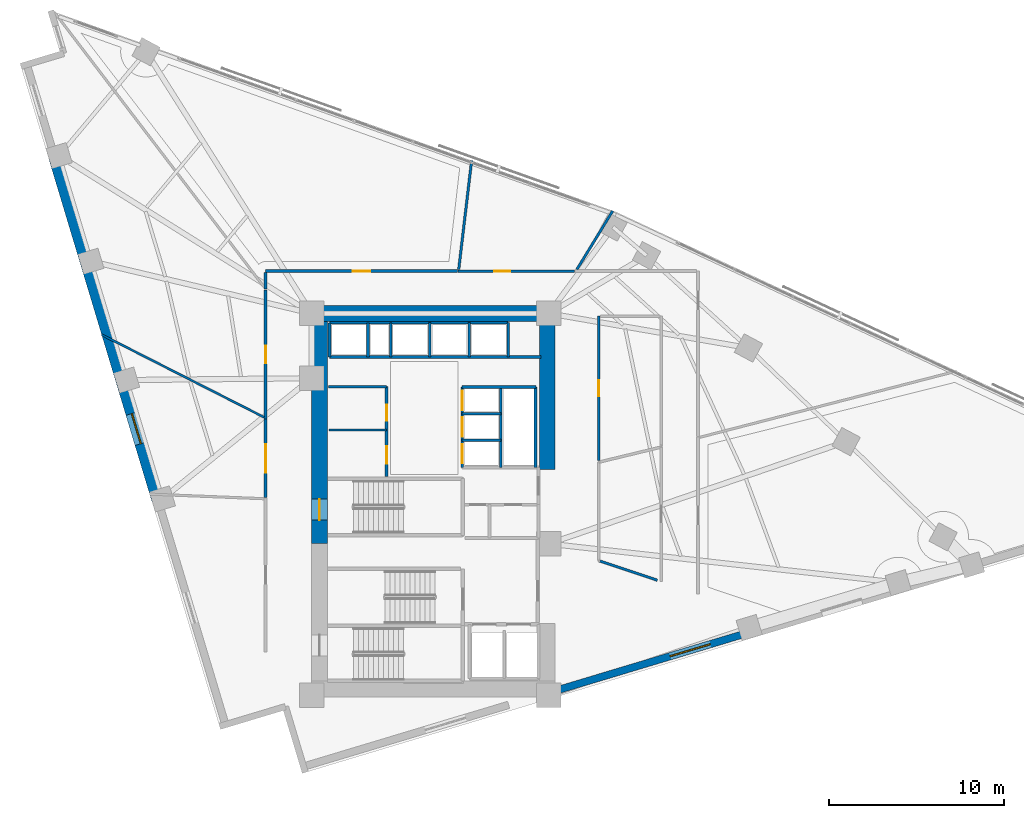
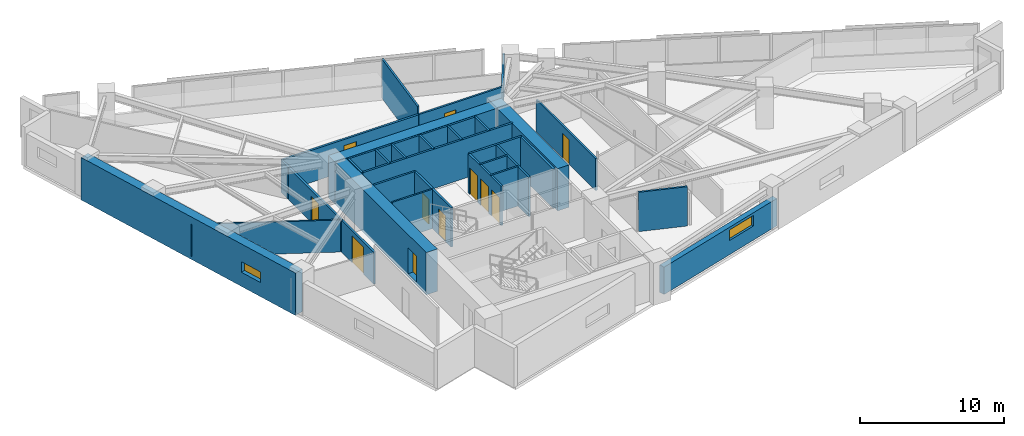
# One storey, part 11 of 16: 33 walls, 11 doors, 2 windows, 13 openings.
"""IFC4 building model written with IfcOpenShell, lengths in metres."""

from ifc_helpers import new_model, si_unit, direction, frame, frame_2d, origin, place, context, subcontext, project, spatial, rectangle, extrude, material, layer, layer_set, type_object, element, fill, save


model = new_model("IFC4")

# Units and contexts
model_context = context("Model", 3, precision=1e-05, world=origin(), true_north=direction((0.0, 1.0)))
body_context = subcontext(model_context, "Body", "Model", "MODEL_VIEW")
ifc_project = project(units=[si_unit("LENGTHUNIT", "METRE"), si_unit("AREAUNIT", "SQUARE_METRE"), si_unit("VOLUMEUNIT", "CUBIC_METRE"), si_unit("PLANEANGLEUNIT", "RADIAN"), si_unit("MASSUNIT", "GRAM", prefix="KILO")], contexts=[model_context])

# Site, building, storey
site_placement = place(None, origin())
site = spatial("IfcSite", under=ifc_project, at=site_placement, CompositionType="ELEMENT")
building_placement = place(site_placement, origin())
building = spatial("IfcBuilding", under=site, at=building_placement, Name="Narakoshi Arena Tower", CompositionType="ELEMENT")
storey_placement = place(building_placement, frame((0.0, 0.0, 150.300048828125)))
storey = spatial("IfcBuildingStorey", under=building, at=storey_placement, Name="L40", CompositionType="ELEMENT", Elevation=150.300048828125)

# Wall, opening, door
ifc_material_1 = material(Name="Concrete C60/75", Category="concrete")
ifc_layer_1 = layer(ifc_material_1, 0.89990234375)
ifc_layer_set_1 = layer_set([ifc_layer_1], Name="Concrete C60/75")
wall_type_1 = type_object("IfcWallType", Name="WL-CORE-900", PredefinedType="SHEAR", material=ifc_layer_set_1)
wall_1_placement = place(storey_placement, frame((72.449951171875, 43.35009765625, -0.260009765625), z_axis=(0.0, 0.0, 1.0), x_axis=(0.0, 1.0, 0.0)))
wall_1 = element("IfcWall", 1, at=wall_1_placement, inside=storey, type_object=wall_type_1, Name="L40 Main Core Shear Wall CW-MN-W", PredefinedType="SHEAR", context=body_context, shape_type="SweptSolid", body=[
    extrude(rectangle(XDim=12.699951171875, YDim=0.89990234375, at=frame_2d((6.35009765625, 0.0))), origin(), (0.0, 0.0, 1.0), 3.599853515625),
])
opening_1_placement = place(wall_1_placement, frame((1.35009765625, 0.0, 0.260009765625)))
opening_1 = element("IfcOpeningElement", 2, at=opening_1_placement, cuts=wall_1, Name="Opening D-03", PredefinedType="OPENING", context=body_context, shape_type="SweptSolid", body=[
    extrude(rectangle(XDim=1.199951171875, YDim=2.199951171875, at=frame_2d((0.60009765625, 1.10009765625))), frame((0.0, 0.4599609375, 0.0), z_axis=(0.0, -1.0, 0.0), x_axis=(1.0, 0.0, 0.0)), (0.0, 0.0, 1.0), 0.919921875),
])
ifc_material_2 = material(Name="Painted galvanized steel", Category="steel")
door_type_1 = type_object("IfcDoorType", Name="DR-STR-1200", OperationType="NOTDEFINED", PredefinedType="USERDEFINED", material=ifc_material_2)
door_1_placement = place(opening_1_placement, frame((1.199951171875, 0.0, 0.0), z_axis=(0.0, 0.0, 1.0), x_axis=(-1.0, 0.0, 0.0)))
door_1 = element("IfcDoor", 3, at=door_1_placement, inside=storey, type_object=door_type_1, Name="DR-L40-006", ObjectType="EXITDOOR", OperationType="SINGLE_SWING_LEFT", OverallHeight=2.199951171875, OverallWidth=1.199951171875, PredefinedType="USERDEFINED", context=body_context, shape_type="SweptSolid", body=[
    extrude(rectangle(XDim=1.199951171875, YDim=2.199951171875, at=frame_2d((0.60009765625, 1.10009765625))), frame((0.0, 0.02490234375, 0.0), z_axis=(0.0, -1.0, 0.0), x_axis=(1.0, 0.0, 0.0)), (0.0, 0.0, 1.0), 0.050048828125),
])
fill(opening_1, door_1)

# Walls
wall_2_placement = place(storey_placement, frame((72.0, 56.5, -0.260009765625), z_axis=(0.0, 0.0, 1.0), x_axis=(1.0, 0.0, 0.0)))
element("IfcWall", 4, at=wall_2_placement, inside=storey, type_object=wall_type_1, Name="L40 Main Core Shear Wall CW-MN-N", PredefinedType="SHEAR", context=body_context, shape_type="SweptSolid", body=[
    extrude(rectangle(XDim=13.89990234375, YDim=0.89990234375, at=frame_2d((6.949951171875, 0.0))), origin(), (0.0, 0.0, 1.0), 3.599853515625),
])
wall_3_placement = place(storey_placement, frame((85.449951171875, 47.60009765625, -0.260009765625), z_axis=(0.0, 0.0, 1.0), x_axis=(0.0, 1.0, 0.0)))
element("IfcWall", 5, at=wall_3_placement, inside=storey, type_object=wall_type_1, Name="L40 Main Core Shear Wall CW-MN-E", PredefinedType="SHEAR", context=body_context, shape_type="SweptSolid", body=[
    extrude(rectangle(XDim=8.449951171875, YDim=0.89990234375, at=frame_2d((4.22509765625, 0.0))), origin(), (0.0, 0.0, 1.0), 3.599853515625),
])

# Wall, opening, door
ifc_material_3 = material(Name="Gypsum plasterboard fire-rated partition")
ifc_layer_2 = layer(ifc_material_3, 0.1650390625)
ifc_layer_set_2 = layer_set([ifc_layer_2], Name="Gypsum plasterboard fire-rated partition")
wall_type_2 = type_object("IfcWallType", Name="WL-CORR-165", PredefinedType="PARTITIONING", material=ifc_layer_set_2)
wall_4_placement = place(storey_placement, frame((80.327880859375, 58.9189453125, 0.0), z_axis=(0.0, 0.0, 1.0), x_axis=(-1.0, 0.0, 0.0)))
wall_4 = element("IfcWall", 6, at=wall_4_placement, inside=storey, type_object=wall_type_2, Name="L40 Corridor Partition 07-1", PredefinedType="PARTITIONING", context=body_context, shape_type="SweptSolid", body=[
    extrude(rectangle(XDim=10.95166015625, YDim=0.1650390625, at=frame_2d((5.475830078125, 0.0))), origin(), (0.0, 0.0, 1.0), 2.724853515625),
])
opening_2_placement = place(wall_4_placement, frame((4.975830078125, 0.0, 0.0)))
opening_2 = element("IfcOpeningElement", 7, at=opening_2_placement, cuts=wall_4, Name="Opening D-06", PredefinedType="OPENING", context=body_context, shape_type="SweptSolid", body=[
    extrude(rectangle(XDim=1.0, YDim=2.199951171875, at=frame_2d((0.5, 1.10009765625))), frame((0.0, 0.092529296875, 0.0), z_axis=(0.0, -1.0, 0.0), x_axis=(1.0, 0.0, 0.0)), (0.0, 0.0, 1.0), 0.18505859375),
])
ifc_material_4 = material(Name="Stained oak solid-core timber", Category="wood")
door_type_2 = type_object("IfcDoorType", Name="DR-OFF-1000", OperationType="NOTDEFINED", PredefinedType="DOOR", material=ifc_material_4)
door_2_placement = place(opening_2_placement, frame((1.0, 0.0, 0.0), z_axis=(0.0, 0.0, 1.0), x_axis=(-1.0, 0.0, 0.0)))
door_2 = element("IfcDoor", 8, at=door_2_placement, inside=storey, type_object=door_type_2, Name="DR-L40-021", OperationType="SINGLE_SWING_RIGHT", OverallHeight=2.199951171875, OverallWidth=1.0, PredefinedType="DOOR", context=body_context, shape_type="SweptSolid", body=[
    extrude(rectangle(XDim=1.0, YDim=2.199951171875, at=frame_2d((0.5, 1.10009765625))), frame((0.0, 0.02490234375, 0.0), z_axis=(0.0, -1.0, 0.0), x_axis=(1.0, 0.0, 0.0)), (0.0, 0.0, 1.0), 0.050048828125),
])
fill(opening_2, door_2)

# Wall
wall_5_placement = place(storey_placement, frame((69.376220703125, 58.824462890625, 0.0), z_axis=(0.0, 0.0, 1.0), x_axis=(0.0, -1.0, 0.0)))
element("IfcWall", 9, at=wall_5_placement, inside=storey, type_object=wall_type_2, Name="L40 Corridor Partition 07-2", PredefinedType="PARTITIONING", context=body_context, shape_type="SweptSolid", body=[
    extrude(rectangle(XDim=0.9375, YDim=0.1650390625, at=frame_2d((0.46875, 0.0))), origin(), (0.0, 0.0, 1.0), 2.724853515625),
])

# Wall, opening, door
wall_6_placement = place(storey_placement, frame((69.376220703125, 57.847412109375, 0.0), z_axis=(0.0, 0.0, 1.0), x_axis=(0.0, -1.0, 0.0)))
wall_6 = element("IfcWall", 10, at=wall_6_placement, inside=storey, type_object=wall_type_2, Name="L40 Corridor Partition 08-1", PredefinedType="PARTITIONING", context=body_context, shape_type="SweptSolid", body=[
    extrude(rectangle(XDim=7.361328125, YDim=0.1650390625, at=frame_2d((3.6806640625, 0.0))), origin(), (0.0, 0.0, 1.0), 2.724853515625),
])
opening_3_placement = place(wall_6_placement, frame((3.1806640625, 0.0, 0.0)))
opening_3 = element("IfcOpeningElement", 11, at=opening_3_placement, cuts=wall_6, Name="Opening D-06", PredefinedType="OPENING", context=body_context, shape_type="SweptSolid", body=[
    extrude(rectangle(XDim=1.0, YDim=2.199951171875, at=frame_2d((0.5, 1.10009765625))), frame((0.0, 0.092529296875, 0.0), z_axis=(0.0, -1.0, 0.0), x_axis=(1.0, 0.0, 0.0)), (0.0, 0.0, 1.0), 0.18505859375),
])
door_3_placement = place(opening_3_placement, frame((1.0, 0.0, 0.0), z_axis=(0.0, 0.0, 1.0), x_axis=(-1.0, 0.0, 0.0)))
door_3 = element("IfcDoor", 12, at=door_3_placement, inside=storey, type_object=door_type_2, Name="DR-L40-022", OperationType="SINGLE_SWING_LEFT", OverallHeight=2.199951171875, OverallWidth=1.0, PredefinedType="DOOR", context=body_context, shape_type="SweptSolid", body=[
    extrude(rectangle(XDim=1.0, YDim=2.199951171875, at=frame_2d((0.5, 1.10009765625))), frame((0.0, 0.02490234375, 0.0), z_axis=(0.0, -1.0, 0.0), x_axis=(1.0, 0.0, 0.0)), (0.0, 0.0, 1.0), 0.050048828125),
])
fill(opening_3, door_3)

wall_7_placement = place(storey_placement, frame((69.376220703125, 50.458984375, 0.0), z_axis=(0.0, 0.0, 1.0), x_axis=(0.0, -1.0, 0.0)))
wall_7 = element("IfcWall", 13, at=wall_7_placement, inside=storey, type_object=wall_type_2, Name="L40 Corridor Partition 09-1", PredefinedType="PARTITIONING", context=body_context, shape_type="SweptSolid", body=[
    extrude(rectangle(XDim=4.482666015625, YDim=0.1650390625, at=frame_2d((2.2412109375, 0.0))), origin(), (0.0, 0.0, 1.0), 2.724853515625),
])
opening_4_placement = place(wall_7_placement, frame((1.44140625, 0.0, 0.0)))
opening_4 = element("IfcOpeningElement", 14, at=opening_4_placement, cuts=wall_7, Name="Opening D-05", PredefinedType="OPENING", context=body_context, shape_type="SweptSolid", body=[
    extrude(rectangle(XDim=1.60009765625, YDim=2.300048828125, at=frame_2d((0.800048828125, 1.14990234375))), frame((0.0, 0.092529296875, 0.0), z_axis=(0.0, -1.0, 0.0), x_axis=(1.0, 0.0, 0.0)), (0.0, 0.0, 1.0), 0.18505859375),
])
door_type_3 = type_object("IfcDoorType", Name="DR-STE-1600", OperationType="DOUBLE_DOOR_SINGLE_SWING", PredefinedType="DOOR", material=ifc_material_4)
door_4_placement = place(opening_4_placement, frame((1.60009765625, 0.0, 0.0), z_axis=(0.0, 0.0, 1.0), x_axis=(-1.0, 0.0, 0.0)))
door_4 = element("IfcDoor", 15, at=door_4_placement, inside=storey, type_object=door_type_3, Name="DR-L40-023", OperationType="DOUBLE_DOOR_SINGLE_SWING", OverallHeight=2.300048828125, OverallWidth=1.60009765625, PredefinedType="DOOR", context=body_context, shape_type="SweptSolid", body=[
    extrude(rectangle(XDim=1.60009765625, YDim=2.300048828125, at=frame_2d((0.800048828125, 1.14990234375))), frame((0.0, 0.02490234375, 0.0), z_axis=(0.0, -1.0, 0.0), x_axis=(1.0, 0.0, 0.0)), (0.0, 0.0, 1.0), 0.050048828125),
])
fill(opening_4, door_4)

# Wall, opening, window
ifc_layer_3 = layer(ifc_material_1, 0.699951171875)
ifc_layer_set_3 = layer_set([ifc_layer_3], Name="Concrete C60/75")
wall_type_3 = type_object("IfcWallType", Name="WL-LEG-700", PredefinedType="SHEAR", material=ifc_layer_set_3)
wall_8_placement = place(storey_placement, frame((57.322509765625, 65.434326171875, -0.260009765625), z_axis=(0.0, 0.0, 1.0), x_axis=(0.288188159352, -0.957573801234, 0.0)))
wall_8 = element("IfcWall", 16, at=wall_8_placement, inside=storey, type_object=wall_type_3, Name="L40 Architectural Concrete Structural Wall LEGB-2", PredefinedType="SHEAR", context=body_context, shape_type="SweptSolid", body=[
    extrude(rectangle(XDim=20.468994140625, YDim=0.699951171875, at=frame_2d((10.234375, 0.0))), origin(), (0.0, 0.0, 1.0), 3.599853515625),
])
opening_5_placement = place(wall_8_placement, frame((15.300048828125, 0.0, 1.199951171875)))
opening_5 = element("IfcOpeningElement", 17, at=opening_5_placement, cuts=wall_8, Name="Opening WN-02", PredefinedType="OPENING", context=body_context, shape_type="SweptSolid", body=[
    extrude(rectangle(XDim=1.800048828125, YDim=0.89990234375, at=frame_2d((0.89990234375, 0.449951171875))), frame((0.0, 0.35986328125, 0.0), z_axis=(0.0, -1.0, 0.0), x_axis=(1.0, 0.0, 0.0)), (0.0, 0.0, 1.0), 0.719970703125),
])
ifc_material_5 = material(Name="Bronze-tinted low-E laminated glass", Category="glass")
window_type_1 = type_object("IfcWindowType", Name="WIN-SLT-18x09", PartitioningType="SINGLE_PANEL", PredefinedType="WINDOW", material=ifc_material_5)
window_1_placement = place(opening_5_placement, origin())
window_1 = element("IfcWindow", 18, at=window_1_placement, inside=storey, type_object=window_type_1, Name="L40 LEGB2 Horizontal Slot Window 1", OverallHeight=0.89990234375, OverallWidth=1.800048828125, PartitioningType="SINGLE_PANEL", PredefinedType="WINDOW", context=body_context, shape_type="SweptSolid", body=[
    extrude(rectangle(XDim=1.800048828125, YDim=0.89990234375, at=frame_2d((0.89990234375, 0.449951171875))), frame((0.0, 0.030029296875, 0.0), z_axis=(0.0, -1.0, 0.0), x_axis=(1.0, 0.0, 0.0)), (0.0, 0.0, 1.0), 0.06005859375),
])
fill(opening_5, window_1)

# Walls
ifc_layer_4 = layer(ifc_material_3, 0.125)
ifc_layer_set_4 = layer_set([ifc_layer_4], Name="Gypsum plasterboard fire-rated partition")
wall_type_4 = type_object("IfcWallType", Name="WL-PART-125", PredefinedType="PARTITIONING", material=ifc_layer_set_4)
wall_9_placement = place(storey_placement, frame((73.0, 49.85009765625, 0.0), z_axis=(0.0, 0.0, 1.0), x_axis=(1.0, 0.0, 0.0)))
element("IfcWall", 19, at=wall_9_placement, inside=storey, type_object=wall_type_4, Name="L40 Core Wall RCL-LR-D0", PredefinedType="PARTITIONING", context=body_context, shape_type="SweptSolid", body=[
    extrude(rectangle(XDim=3.280029296875, YDim=0.125, at=frame_2d((1.64013671875, 0.0))), origin(), (0.0, 0.0, 1.0), 3.33984375),
])
wall_10_placement = place(storey_placement, frame((69.28173828125, 50.574462890625, 0.0), z_axis=(0.0, 0.0, 1.0), x_axis=(-0.891440261232, 0.453138235702, 0.0)))
element("IfcWall", 20, at=wall_10_placement, inside=storey, type_object=wall_type_4, Name="L40 Inter-Room Partition 08-09", PredefinedType="PARTITIONING", context=body_context, shape_type="SweptSolid", body=[
    extrude(rectangle(XDim=10.39990234375, YDim=0.125, at=frame_2d((5.199951171875, 0.0))), origin(), (0.0, 0.0, 1.0), 2.724853515625),
])

# Wall, opening, window
ifc_material_6 = material(Name="Precast concrete C45/55", Category="concrete")
ifc_layer_5 = layer(ifc_material_6, 0.419921875)
ifc_layer_set_5 = layer_set([ifc_layer_5], Name="Precast concrete C45/55")
wall_type_5 = type_object("IfcWallType", Name="WL-POD-420", PredefinedType="SOLIDWALL", material=ifc_layer_set_5)
wall_11_placement = place(storey_placement, frame((86.10009765625, 35.00732421875, 0.0), z_axis=(0.0, 0.0, 1.0), x_axis=(0.957569401796, 0.288202777129, 0.0)))
wall_11 = element("IfcWall", 21, at=wall_11_placement, inside=storey, type_object=wall_type_5, Name="L40 Architectural Concrete Facade Wall LEGA-2", PredefinedType="SOLIDWALL", context=body_context, shape_type="SweptSolid", body=[
    extrude(rectangle(XDim=11.447998046875, YDim=0.419921875, at=frame_2d((5.72412109375, 0.0))), origin(), (0.0, 0.0, 1.0), 2.324951171875),
])
opening_6_placement = place(wall_11_placement, frame((6.652099609375, 0.0, 1.199951171875)))
opening_6 = element("IfcOpeningElement", 22, at=opening_6_placement, cuts=wall_11, Name="Opening WN-01", PredefinedType="OPENING", context=body_context, shape_type="SweptSolid", body=[
    extrude(rectangle(XDim=2.39990234375, YDim=0.89990234375, at=frame_2d((1.199951171875, 0.449951171875))), frame((0.0, 0.219970703125, 0.0), z_axis=(0.0, -1.0, 0.0), x_axis=(1.0, 0.0, 0.0)), (0.0, 0.0, 1.0), 0.43994140625),
])
window_type_2 = type_object("IfcWindowType", Name="WIN-SLT-24x09", PartitioningType="SINGLE_PANEL", PredefinedType="WINDOW", material=ifc_material_5)
window_2_placement = place(opening_6_placement, origin())
window_2 = element("IfcWindow", 23, at=window_2_placement, inside=storey, type_object=window_type_2, Name="L40 LEGA2 Horizontal Slot Window 1", OverallHeight=0.89990234375, OverallWidth=2.39990234375, PartitioningType="SINGLE_PANEL", PredefinedType="WINDOW", context=body_context, shape_type="SweptSolid", body=[
    extrude(rectangle(XDim=2.39990234375, YDim=0.89990234375, at=frame_2d((1.199951171875, 0.449951171875))), frame((0.0, 0.030029296875, 0.0), z_axis=(0.0, -1.0, 0.0), x_axis=(1.0, 0.0, 0.0)), (0.0, 0.0, 1.0), 0.06005859375),
])
fill(opening_6, window_2)

# Walls
ifc_material_7 = material(Name="Concrete C40/50", Category="concrete")
ifc_layer_6 = layer(ifc_material_7, 0.280029296875)
ifc_layer_set_6 = layer_set([ifc_layer_6], Name="Concrete C40/50")
wall_type_6 = type_object("IfcWallType", Name="WL-RISER-280", PredefinedType="PLUMBINGWALL", material=ifc_layer_set_6)
for number, where, z_axis, x_axis, name in (
    (24, (80.60009765625, 49.260009765625, 0.0), (0.0, 0.0, 1.0), (1.0, 0.0, 0.0), "L40 Core Wall MR-D1"),
    (25, (80.60009765625, 50.780029296875, 0.0), (0.0, 0.0, 1.0), (1.0, 0.0, 0.0), "L40 Core Wall MR-D2"),
):
    element("IfcWall", number, at=place(storey_placement, frame(where, z_axis=z_axis, x_axis=x_axis)), inside=storey, type_object=wall_type_6, Name=name, PredefinedType="PLUMBINGWALL", context=body_context, shape_type="SweptSolid", body=[
        extrude(rectangle(XDim=2.199951171875, YDim=0.14990234375, at=frame_2d((1.10009765625, 0.0))), origin(), (0.0, 0.0, 1.0), 3.33984375),
    ])
wall_12_placement = place(storey_placement, frame((82.800048828125, 47.699951171875, 0.0), z_axis=(0.0, 0.0, 1.0), x_axis=(0.0, 1.0, 0.0)))
element("IfcWall", 26, at=wall_12_placement, inside=storey, type_object=wall_type_6, Name="L40 Core Wall MR-E", PredefinedType="PLUMBINGWALL", context=body_context, shape_type="SweptSolid", body=[
    extrude(rectangle(XDim=4.60009765625, YDim=0.14990234375, at=frame_2d((2.300048828125, 0.0))), origin(), (0.0, 0.0, 1.0), 3.33984375),
])
for number, where, z_axis, x_axis, name in (
    (27, (73.02001953125, 54.02001953125, 0.0), (0.0, 0.0, 1.0), (0.0, 1.0, 0.0), "L40 Core Wall OBS-W"),
    (28, (75.219970703125, 54.02001953125, 0.0), (0.0, 0.0, 1.0), (0.0, 1.0, 0.0), "L40 Core Wall OBS-M"),
):
    element("IfcWall", number, at=place(storey_placement, frame(where, z_axis=z_axis, x_axis=x_axis)), inside=storey, type_object=wall_type_6, Name=name, PredefinedType="PLUMBINGWALL", context=body_context, shape_type="SweptSolid", body=[
        extrude(rectangle(XDim=1.93994140625, YDim=0.14990234375, at=frame_2d((0.969970703125, 0.0))), origin(), (0.0, 0.0, 1.0), 3.33984375),
    ])
for number, where, z_axis, x_axis, name in (
    (29, (78.75, 54.02001953125, 0.0), (0.0, 0.0, 1.0), (0.0, 1.0, 0.0), "L40 Core Wall HR-D1"),
    (30, (81.0, 54.02001953125, 0.0), (0.0, 0.0, 1.0), (0.0, 1.0, 0.0), "L40 Core Wall HR-D2"),
):
    element("IfcWall", number, at=place(storey_placement, frame(where, z_axis=z_axis, x_axis=x_axis)), inside=storey, type_object=wall_type_6, Name=name, PredefinedType="PLUMBINGWALL", context=body_context, shape_type="SweptSolid", body=[
        extrude(rectangle(XDim=1.9599609375, YDim=0.14990234375, at=frame_2d((0.97998046875, 0.0))), origin(), (0.0, 0.0, 1.0), 3.33984375),
    ])

# Wall, openings, doors
ifc_material_8 = material(Name="Concrete C50/60", Category="concrete")
ifc_layer_7 = layer(ifc_material_8, 0.35009765625)
ifc_layer_set_7 = layer_set([ifc_layer_7], Name="Concrete C50/60")
wall_type_7 = type_object("IfcWallType", Name="WL-SHAFT-350", PredefinedType="SOLIDWALL", material=ifc_layer_set_7)
wall_13_placement = place(storey_placement, frame((76.280029296875, 47.179931640625, 0.0), z_axis=(0.0, 0.0, 1.0), x_axis=(0.0, 1.0, 0.0)))
wall_13 = element("IfcWall", 31, at=wall_13_placement, inside=storey, type_object=wall_type_7, Name="L40 Core Wall LR-E", PredefinedType="SOLIDWALL", context=body_context, shape_type="SweptSolid", body=[
    extrude(rectangle(XDim=5.14013671875, YDim=0.159912109375, at=frame_2d((2.570068359375, 0.0))), origin(), (0.0, 0.0, 1.0), 3.33984375),
])
opening_7_placement = place(wall_13_placement, frame((0.75, 0.0, 0.0)))
opening_7 = element("IfcOpeningElement", 32, at=opening_7_placement, cuts=wall_13, Name="Opening D-06", PredefinedType="OPENING", context=body_context, shape_type="SweptSolid", body=[
    extrude(rectangle(XDim=1.0, YDim=2.199951171875, at=frame_2d((0.5, 1.10009765625))), frame((0.0, 0.08984375, 0.0), z_axis=(0.0, -1.0, 0.0), x_axis=(1.0, 0.0, 0.0)), (0.0, 0.0, 1.0), 0.179931640625),
])
opening_8_placement = place(wall_13_placement, frame((3.199951171875, 0.0, 0.0)))
opening_8 = element("IfcOpeningElement", 33, at=opening_8_placement, cuts=wall_13, Name="Opening D-08", PredefinedType="OPENING", context=body_context, shape_type="SweptSolid", body=[
    extrude(rectangle(XDim=0.89990234375, YDim=2.10009765625, at=frame_2d((0.449951171875, 1.050048828125))), frame((0.0, 0.08984375, 0.0), z_axis=(0.0, -1.0, 0.0), x_axis=(1.0, 0.0, 0.0)), (0.0, 0.0, 1.0), 0.179931640625),
])
door_5_placement = place(opening_7_placement, frame((1.0, 0.0, 0.0), z_axis=(0.0, 0.0, 1.0), x_axis=(-1.0, 0.0, 0.0)))
door_5 = element("IfcDoor", 34, at=door_5_placement, inside=storey, type_object=door_type_2, Name="DR-L40-010", OperationType="SINGLE_SWING_LEFT", OverallHeight=2.199951171875, OverallWidth=1.0, PredefinedType="DOOR", context=body_context, shape_type="SweptSolid", body=[
    extrude(rectangle(XDim=1.0, YDim=2.199951171875, at=frame_2d((0.5, 1.10009765625))), frame((0.0, 0.02490234375, 0.0), z_axis=(0.0, -1.0, 0.0), x_axis=(1.0, 0.0, 0.0)), (0.0, 0.0, 1.0), 0.050048828125),
])
fill(opening_7, door_5)
ifc_material_9 = material(Name="Moisture-resistant laminate timber", Category="wood")
door_type_4 = type_object("IfcDoorType", Name="DR-WC-900", OperationType="NOTDEFINED", PredefinedType="DOOR", material=ifc_material_9)
door_6_placement = place(opening_8_placement, frame((0.89990234375, 0.0, 0.0), z_axis=(0.0, 0.0, 1.0), x_axis=(-1.0, 0.0, 0.0)))
door_6 = element("IfcDoor", 35, at=door_6_placement, inside=storey, type_object=door_type_4, Name="DR-L40-011", OperationType="SINGLE_SWING_RIGHT", OverallHeight=2.10009765625, OverallWidth=0.89990234375, PredefinedType="DOOR", context=body_context, shape_type="SweptSolid", body=[
    extrude(rectangle(XDim=0.89990234375, YDim=2.10009765625, at=frame_2d((0.449951171875, 1.050048828125))), frame((0.0, 0.02490234375, 0.0), z_axis=(0.0, -1.0, 0.0), x_axis=(1.0, 0.0, 0.0)), (0.0, 0.0, 1.0), 0.050048828125),
])
fill(opening_8, door_6)

# Wall
wall_14_placement = place(storey_placement, frame((72.949951171875, 52.320068359375, 0.0), z_axis=(0.0, 0.0, 1.0), x_axis=(1.0, 0.0, 0.0)))
element("IfcWall", 36, at=wall_14_placement, inside=storey, type_object=wall_type_7, Name="L40 Core Wall LR-N", PredefinedType="SOLIDWALL", context=body_context, shape_type="SweptSolid", body=[
    extrude(rectangle(XDim=3.330078125, YDim=0.14990234375, at=frame_2d((1.6650390625, 0.0))), origin(), (0.0, 0.0, 1.0), 3.33984375),
])

# Wall, openings, doors
wall_15_placement = place(storey_placement, frame((80.60009765625, 47.699951171875, 0.0), z_axis=(0.0, 0.0, 1.0), x_axis=(0.0, 1.0, 0.0)))
wall_15 = element("IfcWall", 37, at=wall_15_placement, inside=storey, type_object=wall_type_7, Name="L40 Core Wall MR-W", PredefinedType="SOLIDWALL", context=body_context, shape_type="SweptSolid", body=[
    extrude(rectangle(XDim=4.60009765625, YDim=0.159912109375, at=frame_2d((2.300048828125, 0.0))), origin(), (0.0, 0.0, 1.0), 3.33984375),
])
opening_9_placement = place(wall_15_placement, frame((0.239990234375, 0.0, 0.0)))
opening_9 = element("IfcOpeningElement", 38, at=opening_9_placement, cuts=wall_15, Name="Opening LD-01", PredefinedType="OPENING", context=body_context, shape_type="SweptSolid", body=[
    extrude(rectangle(XDim=1.10009765625, YDim=2.25, at=frame_2d((0.550048828125, 1.125))), frame((0.0, 0.08984375, 0.0), z_axis=(0.0, -1.0, 0.0), x_axis=(1.0, 0.0, 0.0)), (0.0, 0.0, 1.0), 0.179931640625),
])
opening_10_placement = place(wall_15_placement, frame((1.760009765625, 0.0, 0.0)))
opening_10 = element("IfcOpeningElement", 39, at=opening_10_placement, cuts=wall_15, Name="Opening LD-01", PredefinedType="OPENING", context=body_context, shape_type="SweptSolid", body=[
    extrude(rectangle(XDim=1.10009765625, YDim=2.25, at=frame_2d((0.550048828125, 1.125))), frame((0.0, 0.08984375, 0.0), z_axis=(0.0, -1.0, 0.0), x_axis=(1.0, 0.0, 0.0)), (0.0, 0.0, 1.0), 0.179931640625),
])
opening_11_placement = place(wall_15_placement, frame((3.280029296875, 0.0, 0.0)))
opening_11 = element("IfcOpeningElement", 40, at=opening_11_placement, cuts=wall_15, Name="Opening LD-01", PredefinedType="OPENING", context=body_context, shape_type="SweptSolid", body=[
    extrude(rectangle(XDim=1.10009765625, YDim=2.25, at=frame_2d((0.550048828125, 1.125))), frame((0.0, 0.08984375, 0.0), z_axis=(0.0, -1.0, 0.0), x_axis=(1.0, 0.0, 0.0)), (0.0, 0.0, 1.0), 0.179931640625),
])
ifc_material_10 = material(Name="Brushed bronze stainless steel", Category="steel")
door_type_5 = type_object("IfcDoorType", Name="DR-LFT-1100", OperationType="DOUBLE_DOOR_SLIDING", PredefinedType="DOOR", material=ifc_material_10)
door_7_placement = place(opening_9_placement, frame((1.10009765625, 0.0, 0.0), z_axis=(0.0, 0.0, 1.0), x_axis=(-1.0, 0.0, 0.0)))
door_7 = element("IfcDoor", 41, at=door_7_placement, inside=storey, type_object=door_type_5, Name="DR-L40-012", OperationType="DOUBLE_DOOR_SLIDING", OverallHeight=2.25, OverallWidth=1.10009765625, PredefinedType="DOOR", context=body_context, shape_type="SweptSolid", body=[
    extrude(rectangle(XDim=1.10009765625, YDim=2.25, at=frame_2d((0.550048828125, 1.125))), frame((0.0, 0.02490234375, 0.0), z_axis=(0.0, -1.0, 0.0), x_axis=(1.0, 0.0, 0.0)), (0.0, 0.0, 1.0), 0.050048828125),
])
fill(opening_9, door_7)
door_8_placement = place(opening_10_placement, frame((1.10009765625, 0.0, 0.0), z_axis=(0.0, 0.0, 1.0), x_axis=(-1.0, 0.0, 0.0)))
door_8 = element("IfcDoor", 42, at=door_8_placement, inside=storey, type_object=door_type_5, Name="DR-L40-013", OperationType="DOUBLE_DOOR_SLIDING", OverallHeight=2.25, OverallWidth=1.10009765625, PredefinedType="DOOR", context=body_context, shape_type="SweptSolid", body=[
    extrude(rectangle(XDim=1.10009765625, YDim=2.25, at=frame_2d((0.550048828125, 1.125))), frame((0.0, 0.02490234375, 0.0), z_axis=(0.0, -1.0, 0.0), x_axis=(1.0, 0.0, 0.0)), (0.0, 0.0, 1.0), 0.050048828125),
])
fill(opening_10, door_8)
door_9_placement = place(opening_11_placement, frame((1.10009765625, 0.0, 0.0), z_axis=(0.0, 0.0, 1.0), x_axis=(-1.0, 0.0, 0.0)))
door_9 = element("IfcDoor", 43, at=door_9_placement, inside=storey, type_object=door_type_5, Name="DR-L40-014", OperationType="DOUBLE_DOOR_SLIDING", OverallHeight=2.25, OverallWidth=1.10009765625, PredefinedType="DOOR", context=body_context, shape_type="SweptSolid", body=[
    extrude(rectangle(XDim=1.10009765625, YDim=2.25, at=frame_2d((0.550048828125, 1.125))), frame((0.0, 0.02490234375, 0.0), z_axis=(0.0, -1.0, 0.0), x_axis=(1.0, 0.0, 0.0)), (0.0, 0.0, 1.0), 0.050048828125),
])
fill(opening_11, door_9)

# Walls
wall_16_placement = place(storey_placement, frame((80.60009765625, 52.300048828125, 0.0), z_axis=(0.0, 0.0, 1.0), x_axis=(1.0, 0.0, 0.0)))
element("IfcWall", 44, at=wall_16_placement, inside=storey, type_object=wall_type_7, Name="L40 Core Wall MR-N", PredefinedType="SOLIDWALL", context=body_context, shape_type="SweptSolid", body=[
    extrude(rectangle(XDim=4.219970703125, YDim=0.159912109375, at=frame_2d((2.10986328125, 0.0))), origin(), (0.0, 0.0, 1.0), 3.33984375),
])
wall_17_placement = place(storey_placement, frame((84.780029296875, 47.699951171875, 0.0), z_axis=(0.0, 0.0, 1.0), x_axis=(0.0, 1.0, 0.0)))
element("IfcWall", 45, at=wall_17_placement, inside=storey, type_object=wall_type_7, Name="L40 Core Wall MR-E2", PredefinedType="SOLIDWALL", context=body_context, shape_type="SweptSolid", body=[
    extrude(rectangle(XDim=4.60009765625, YDim=0.159912109375, at=frame_2d((2.300048828125, 0.0))), origin(), (0.0, 0.0, 1.0), 3.33984375),
])
wall_18_placement = place(storey_placement, frame((73.02001953125, 54.02001953125, 0.0), z_axis=(0.0, 0.0, 1.0), x_axis=(1.0, 0.0, 0.0)))
element("IfcWall", 46, at=wall_18_placement, inside=storey, type_object=wall_type_7, Name="L40 Core Wall NSHF-S", PredefinedType="SOLIDWALL", context=body_context, shape_type="SweptSolid", body=[
    extrude(rectangle(XDim=12.080078125, YDim=0.159912109375, at=frame_2d((6.0400390625, 0.0))), origin(), (0.0, 0.0, 1.0), 3.33984375),
])
wall_19_placement = place(storey_placement, frame((73.02001953125, 55.9599609375, 0.0), z_axis=(0.0, 0.0, 1.0), x_axis=(1.0, 0.0, 0.0)))
element("IfcWall", 47, at=wall_19_placement, inside=storey, type_object=wall_type_7, Name="L40 Core Wall OBS-N", PredefinedType="SOLIDWALL", context=body_context, shape_type="SweptSolid", body=[
    extrude(rectangle(XDim=3.5, YDim=0.14990234375, at=frame_2d((1.75, 0.0))), origin(), (0.0, 0.0, 1.0), 3.33984375),
])
wall_20_placement = place(storey_placement, frame((76.52001953125, 54.02001953125, 0.0), z_axis=(0.0, 0.0, 1.0), x_axis=(0.0, 1.0, 0.0)))
element("IfcWall", 48, at=wall_20_placement, inside=storey, type_object=wall_type_7, Name="L40 Core Wall OBS-E", PredefinedType="SOLIDWALL", context=body_context, shape_type="SweptSolid", body=[
    extrude(rectangle(XDim=1.93994140625, YDim=0.14990234375, at=frame_2d((0.969970703125, 0.0))), origin(), (0.0, 0.0, 1.0), 3.33984375),
])
wall_21_placement = place(storey_placement, frame((83.219970703125, 54.02001953125, 0.0), z_axis=(0.0, 0.0, 1.0), x_axis=(0.0, 1.0, 0.0)))
element("IfcWall", 49, at=wall_21_placement, inside=storey, type_object=wall_type_7, Name="L40 Core Wall HR-E", PredefinedType="SOLIDWALL", context=body_context, shape_type="SweptSolid", body=[
    extrude(rectangle(XDim=1.9599609375, YDim=0.14990234375, at=frame_2d((0.97998046875, 0.0))), origin(), (0.0, 0.0, 1.0), 3.33984375),
])
wall_22_placement = place(storey_placement, frame((76.52001953125, 55.9599609375, 0.0), z_axis=(0.0, 0.0, 1.0), x_axis=(1.0, 0.0, 0.0)))
element("IfcWall", 50, at=wall_22_placement, inside=storey, type_object=wall_type_7, Name="L40 Core Wall HR-N", PredefinedType="SOLIDWALL", context=body_context, shape_type="SweptSolid", body=[
    extrude(rectangle(XDim=6.699951171875, YDim=0.14990234375, at=frame_2d((3.35009765625, 0.0))), origin(), (0.0, 0.0, 1.0), 3.33984375),
])
ifc_material_11 = material(Name="Moisture-resistant cement-board partition")
ifc_layer_8 = layer(ifc_material_11, 0.14501953125)
ifc_layer_set_8 = layer_set([ifc_layer_8], Name="Moisture-resistant cement-board partition")
wall_type_8 = type_object("IfcWallType", Name="WL-WET-145", PredefinedType="PARTITIONING", material=ifc_layer_set_8)
wall_23_placement = place(storey_placement, frame((87.1474609375, 59.013427734375, 0.0), z_axis=(0.0, 0.0, 1.0), x_axis=(0.521958116248, 0.85297111609, 0.0)))
element("IfcWall", 51, at=wall_23_placement, inside=storey, type_object=wall_type_8, Name="L40 Inter-Room Partition 04-06", PredefinedType="PARTITIONING", context=body_context, shape_type="SweptSolid", body=[
    extrude(rectangle(XDim=3.92529296875, YDim=0.14501953125, at=frame_2d((1.962646484375, 0.0))), origin(), (0.0, 0.0, 1.0), 2.724853515625),
])

# Wall, opening, door
wall_24_placement = place(storey_placement, frame((88.39990234375, 48.094970703125, 0.0), z_axis=(0.0, 0.0, 1.0), x_axis=(0.0, 1.0, 0.0)))
wall_24 = element("IfcWall", 52, at=wall_24_placement, inside=storey, type_object=wall_type_8, Name="L40 Corridor Partition 05-1", PredefinedType="PARTITIONING", context=body_context, shape_type="SweptSolid", body=[
    extrude(rectangle(XDim=8.255126953125, YDim=0.14501953125, at=frame_2d((4.12744140625, 0.0))), origin(), (0.0, 0.0, 1.0), 2.724853515625),
])
opening_12_placement = place(wall_24_placement, frame((3.677490234375, 0.0, 0.0)))
opening_12 = element("IfcOpeningElement", 53, at=opening_12_placement, cuts=wall_24, Name="Opening D-08", PredefinedType="OPENING", context=body_context, shape_type="SweptSolid", body=[
    extrude(rectangle(XDim=0.89990234375, YDim=2.10009765625, at=frame_2d((0.449951171875, 1.050048828125))), frame((0.0, 0.08251953125, 0.0), z_axis=(0.0, -1.0, 0.0), x_axis=(1.0, 0.0, 0.0)), (0.0, 0.0, 1.0), 0.1650390625),
])
door_10_placement = place(opening_12_placement, frame((0.89990234375, 0.0, 0.0), z_axis=(0.0, 0.0, 1.0), x_axis=(-1.0, 0.0, 0.0)))
door_10 = element("IfcDoor", 54, at=door_10_placement, inside=storey, type_object=door_type_4, Name="DR-L40-019", OperationType="SINGLE_SWING_RIGHT", OverallHeight=2.10009765625, OverallWidth=0.89990234375, PredefinedType="DOOR", context=body_context, shape_type="SweptSolid", body=[
    extrude(rectangle(XDim=0.89990234375, YDim=2.10009765625, at=frame_2d((0.449951171875, 1.050048828125))), frame((0.0, 0.02490234375, 0.0), z_axis=(0.0, -1.0, 0.0), x_axis=(1.0, 0.0, 0.0)), (0.0, 0.0, 1.0), 0.050048828125),
])
fill(opening_12, door_10)

wall_25_placement = place(storey_placement, frame((87.019287109375, 58.9189453125, 0.0), z_axis=(0.0, 0.0, 1.0), x_axis=(-1.0, 0.0, 0.0)))
wall_25 = element("IfcWall", 55, at=wall_25_placement, inside=storey, type_object=wall_type_8, Name="L40 Corridor Partition 06-1", PredefinedType="PARTITIONING", context=body_context, shape_type="SweptSolid", body=[
    extrude(rectangle(XDim=6.667236328125, YDim=0.14501953125, at=frame_2d((3.33349609375, 0.0))), origin(), (0.0, 0.0, 1.0), 2.724853515625),
])
opening_13_placement = place(wall_25_placement, frame((3.688720703125, 0.0, 0.0)))
opening_13 = element("IfcOpeningElement", 56, at=opening_13_placement, cuts=wall_25, Name="Opening D-08", PredefinedType="OPENING", context=body_context, shape_type="SweptSolid", body=[
    extrude(rectangle(XDim=0.89990234375, YDim=2.10009765625, at=frame_2d((0.449951171875, 1.050048828125))), frame((0.0, 0.08251953125, 0.0), z_axis=(0.0, -1.0, 0.0), x_axis=(1.0, 0.0, 0.0)), (0.0, 0.0, 1.0), 0.1650390625),
])
door_11_placement = place(opening_13_placement, frame((0.89990234375, 0.0, 0.0), z_axis=(0.0, 0.0, 1.0), x_axis=(-1.0, 0.0, 0.0)))
door_11 = element("IfcDoor", 57, at=door_11_placement, inside=storey, type_object=door_type_4, Name="DR-L40-020", OperationType="SINGLE_SWING_LEFT", OverallHeight=2.10009765625, OverallWidth=0.89990234375, PredefinedType="DOOR", context=body_context, shape_type="SweptSolid", body=[
    extrude(rectangle(XDim=0.89990234375, YDim=2.10009765625, at=frame_2d((0.449951171875, 1.050048828125))), frame((0.0, 0.02490234375, 0.0), z_axis=(0.0, -1.0, 0.0), x_axis=(1.0, 0.0, 0.0)), (0.0, 0.0, 1.0), 0.050048828125),
])
fill(opening_13, door_11)

# Walls
wall_26_placement = place(storey_placement, frame((80.398193359375, 59.00341796875, 0.0), z_axis=(0.0, 0.0, 1.0), x_axis=(0.11770389137, 0.993048736949, 0.0)))
element("IfcWall", 58, at=wall_26_placement, inside=storey, type_object=wall_type_8, Name="L40 Inter-Room Partition 06-07", PredefinedType="PARTITIONING", context=body_context, shape_type="SweptSolid", body=[
    extrude(rectangle(XDim=6.2724609375, YDim=0.14501953125, at=frame_2d((3.13623046875, 0.0))), origin(), (0.0, 0.0, 1.0), 3.33984375),
])
wall_27_placement = place(storey_placement, frame((91.7412109375, 41.26318359375, 0.0), z_axis=(0.0, 0.0, 1.0), x_axis=(-0.947897529137, 0.318575382375, 0.0)))
element("IfcWall", 59, at=wall_27_placement, inside=storey, type_object=wall_type_8, Name="L40 Room Enclosure Partition 02-1", PredefinedType="PARTITIONING", context=body_context, shape_type="SweptSolid", body=[
    extrude(rectangle(XDim=3.461669921875, YDim=0.14501953125, at=frame_2d((1.73095703125, 0.0))), origin(), (0.0, 0.0, 1.0), 3.33984375),
])

save(model, "model.ifc")
